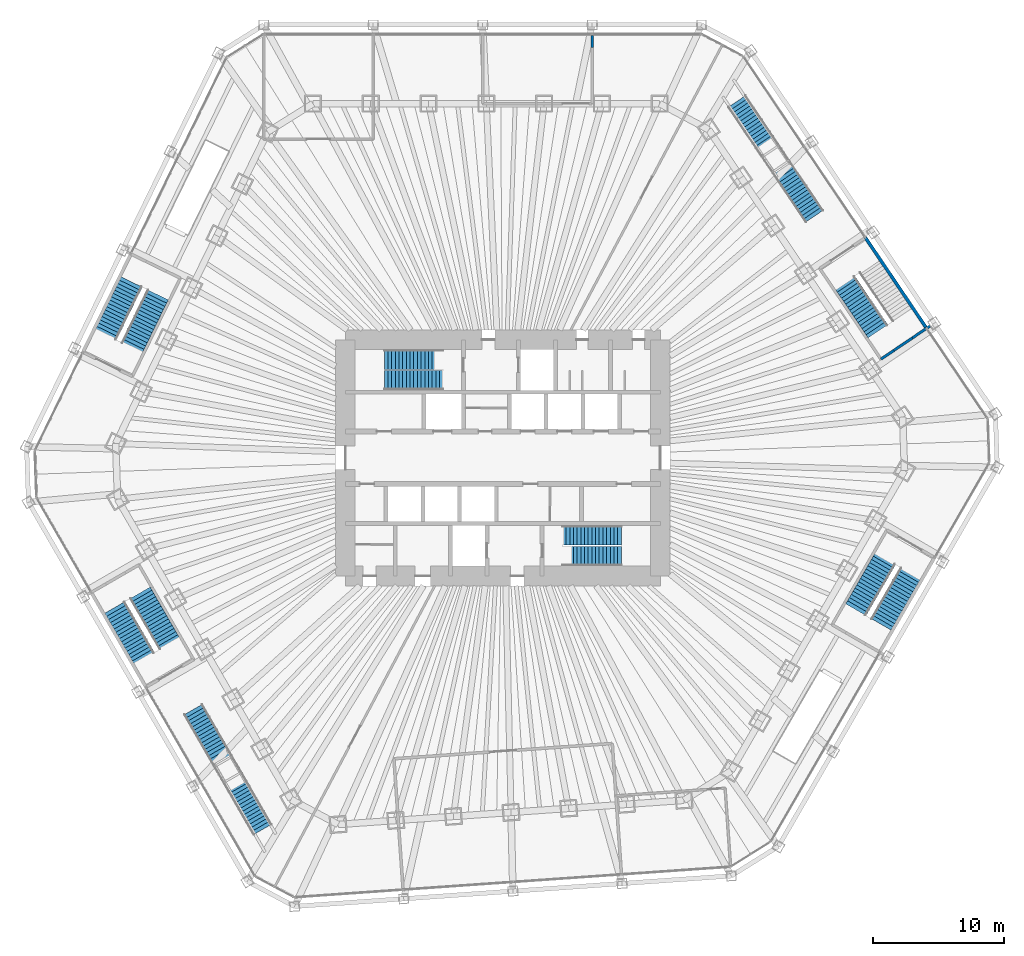
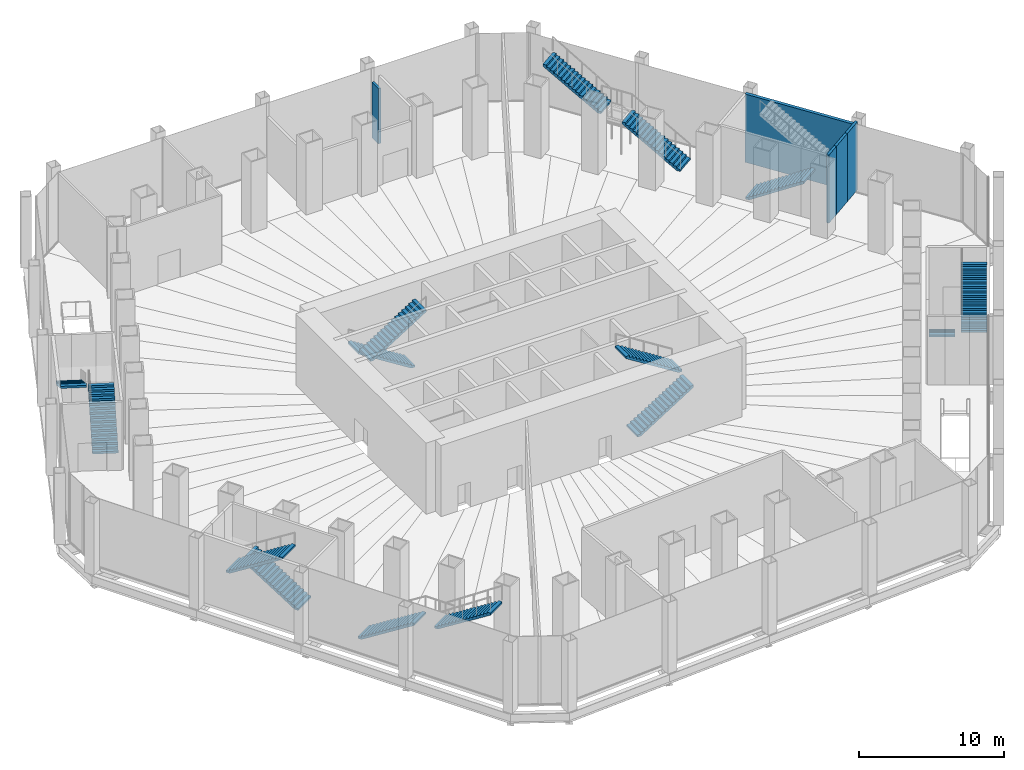
# One storey, part 21 of 23: 15 stair flights, 5 walls, 8 elements without a shape of their own.
"""IFC4 building model written with IfcOpenShell, lengths in metres."""

from ifc_helpers import new_model, si_unit, direction, frame, frame_2d, origin, place, context, subcontext, project, spatial, polyline, rectangle, outline, extrude, material, layer, layer_set, constituent, constituent_set, type_object, element, aggregate, save


model = new_model("IFC4")

# Units and contexts
model_context = context("Model", 3, precision=1e-05, world=origin(), true_north=direction((0.0, 1.0)))
body_context = subcontext(model_context, "Body", "Model", "MODEL_VIEW")
ifc_project = project(units=[si_unit("LENGTHUNIT", "METRE"), si_unit("AREAUNIT", "SQUARE_METRE"), si_unit("VOLUMEUNIT", "CUBIC_METRE"), si_unit("PLANEANGLEUNIT", "RADIAN"), si_unit("MASSUNIT", "GRAM", prefix="KILO")], contexts=[model_context])

# Site, building, storey
site_placement = place(None, origin())
site = spatial("IfcSite", under=ifc_project, at=site_placement, CompositionType="ELEMENT")
building_placement = place(site_placement, origin())
building = spatial("IfcBuilding", under=site, at=building_placement, Name="Qingtian Harvest Tower", CompositionType="ELEMENT")
storey_placement = place(building_placement, frame((0.0, 0.0, 6.0)))
storey = spatial("IfcBuildingStorey", under=building, at=storey_placement, Name="L01", CompositionType="ELEMENT", Elevation=6.0)

# Walls
ifc_material_1 = material(Name="Bronze-clad steel-framed screen wall with fire-rated lining", Category="steel")
ifc_layer_1 = layer(ifc_material_1, 0.25)
ifc_layer_set_1 = layer_set([ifc_layer_1], Name="Facade door bay wall FW2 250")
wall_type_1 = type_object("IfcWallType", Name="Facade door bay wall FW2 250", PredefinedType="SOLIDWALL", material=ifc_layer_set_1)
wall_1_placement = place(storey_placement, frame((27.637451171875, 16.78759765625, 0.0), z_axis=(0.0, 0.0, 1.0), x_axis=(0.559196871021, -0.829034896395, 0.0)))
element("IfcWall", 1, at=wall_1_placement, inside=storey, type_object=wall_type_1, Name="Exit stair wall bay NE2", PredefinedType="SOLIDWALL", context=body_context, shape_type="SweptSolid", body=[
    extrude(rectangle(XDim=8.342041015625, YDim=0.25, at=frame_2d((4.1708984375, 0.0))), origin(), (0.0, 0.0, 1.0), 5.75),
])
ifc_material_2 = material(Name="Blockwork fire wall", Category="masonry")
ifc_layer_2 = layer(ifc_material_2, 0.199951171875)
ifc_layer_set_2 = layer_set([ifc_layer_2], Name="Fire partition FW1 200")
wall_type_2 = type_object("IfcWallType", Name="Fire partition FW1 200", PredefinedType="PARTITIONING", material=ifc_layer_set_2)
wall_2_placement = place(storey_placement, frame((6.8046875, 32.199951171875, 0.0), z_axis=(0.0, 0.0, 1.0), x_axis=(0.0, -1.0, 0.0)))
element("IfcWall", 2, at=wall_2_placement, inside=storey, type_object=wall_type_2, Name="Kitchen wall L01", PredefinedType="PARTITIONING", context=body_context, shape_type="SweptSolid", body=[
    extrude(rectangle(XDim=0.9228515625, YDim=0.199951171875, at=frame_2d((0.46142578125, 0.0))), origin(), (0.0, 0.0, 1.0), 4.64990234375),
])
wall_3_placement = place(storey_placement, frame((32.571533203125, 10.0537109375, 0.0), z_axis=(0.0, 0.0, 1.0), x_axis=(-0.829033253898, -0.55919930609, 0.0)))
element("IfcWall", 3, at=wall_3_placement, inside=storey, type_object=wall_type_2, Name="Exit stair P1 enclosure L01", PredefinedType="PARTITIONING", context=body_context, shape_type="SweptSolid", body=[
    extrude(rectangle(XDim=1.625, YDim=0.199951171875, at=frame_2d((0.8125, 0.0))), origin(), (0.0, 0.0, 1.0), 5.75),
])
wall_4_placement = place(storey_placement, frame((31.224365234375, 9.14501953125, 0.0), z_axis=(0.0, 0.0, 1.0), x_axis=(-0.829033422808, -0.559199055675, 0.0)))
element("IfcWall", 4, at=wall_4_placement, inside=storey, type_object=wall_type_2, Name="Exit stair P1 enclosure L01", PredefinedType="PARTITIONING", context=body_context, shape_type="SweptSolid", body=[
    extrude(rectangle(XDim=1.7001953125, YDim=0.199951171875, at=frame_2d((0.85009765625, 0.0))), origin(), (0.0, 0.0, 1.0), 5.75),
])
wall_5_placement = place(storey_placement, frame((29.81494140625, 8.1943359375, 0.0), z_axis=(0.0, 0.0, 1.0), x_axis=(-0.829096255744, -0.559105892217, 0.0)))
element("IfcWall", 5, at=wall_5_placement, inside=storey, type_object=wall_type_2, Name="Exit stair P1 enclosure L01", PredefinedType="PARTITIONING", context=body_context, shape_type="SweptSolid", body=[
    extrude(rectangle(XDim=1.199951171875, YDim=0.199951171875, at=frame_2d((0.60009765625, 0.0))), origin(), (0.0, 0.0, 1.0), 5.75),
])

# Stair, stair flight
ifc_material_3 = material(Name="Concrete fc' 35 MPa", Category="concrete")
stair_type_1 = type_object("IfcStairType", Name="Exit stair PS1 6000", PredefinedType="HALF_TURN_STAIR", material=ifc_material_3)
stair_1_placement = place(storey_placement, origin())
stair_1 = element("IfcStair", 6, at=stair_1_placement, inside=storey, type_object=stair_type_1, Name="Exit stair P1 L01", PredefinedType="HALF_TURN_STAIR")
ifc_material_4 = material(Name="Concrete fc' 35 MPa", Category="concrete")
stair_flight_type_1 = type_object("IfcStairFlightType", Name="Exit stair flight EF1 6000", PredefinedType="STRAIGHT", material=ifc_material_4)
stair_flight_1_placement = place(storey_placement, frame((26.086181640625, 13.364990234375, 0.0), z_axis=(0.0, 0.0, 1.0), x_axis=(0.559192903471, -0.829037572555, 0.0)))
stair_flight_1 = element("IfcStairFlight", 7, at=stair_flight_1_placement, type_object=stair_flight_type_1, Name="P1 flight 1", NumberOfRisers=17, NumberOfTreads=16, PredefinedType="STRAIGHT", RiserHeight=0.176470588, TreadLength=0.28, context=body_context, shape_type="SweptSolid", body=[
    extrude(outline(polyline([(0.0, 0.0), (0.0, 0.176513671875), (0.280029296875, 0.176513671875), (0.280029296875, 0.35302734375), (0.56005859375, 0.35302734375), (0.56005859375, 0.529296875), (0.840087890625, 0.529296875), (0.840087890625, 0.705810546875), (1.1201171875, 0.705810546875), (1.1201171875, 0.88232421875), (1.39990234375, 0.88232421875), (1.39990234375, 1.058837890625), (1.679931640625, 1.058837890625), (1.679931640625, 1.2353515625), (1.9599609375, 1.2353515625), (1.9599609375, 1.411865234375), (2.239990234375, 1.411865234375), (2.239990234375, 1.588134765625), (2.52001953125, 1.588134765625), (2.52001953125, 1.7646484375), (2.800048828125, 1.7646484375), (2.800048828125, 1.941162109375), (3.080078125, 1.941162109375), (3.080078125, 2.11767578125), (3.360107421875, 2.11767578125), (3.360107421875, 2.294189453125), (3.639892578125, 2.294189453125), (3.639892578125, 2.470703125), (3.919921875, 2.470703125), (3.919921875, 2.64697265625), (4.199951171875, 2.64697265625), (4.199951171875, 2.823486328125), (4.47998046875, 2.823486328125), (4.47998046875, 3.0), (4.47998046875, 2.646240234375), (0.28125, 0.0), (0.0, 0.0)])), frame((0.0, 0.89990234375, 0.0), z_axis=(0.0, -1.0, 0.0), x_axis=(1.0, 0.0, 0.0)), (0.0, 0.0, 1.0), 1.800048828125),
])
aggregate(stair_1, [stair_flight_1])

# Stair, stair flights
stair_2_placement = place(storey_placement, origin())
stair_2 = element("IfcStair", 8, at=stair_2_placement, inside=storey, type_object=stair_type_1, Name="Exit stair P2 L01", PredefinedType="HALF_TURN_STAIR")
stair_flight_2_placement = place(storey_placement, frame((29.15576171875, -7.70068359375, 0.0), z_axis=(0.0, 0.0, 1.0), x_axis=(-0.5, -0.866025403784, 0.0)))
stair_flight_2 = element("IfcStairFlight", 9, at=stair_flight_2_placement, type_object=stair_flight_type_1, Name="P2 flight 1", NumberOfRisers=17, NumberOfTreads=16, PredefinedType="STRAIGHT", RiserHeight=0.176470588, TreadLength=0.28, context=body_context, shape_type="SweptSolid", body=[
    extrude(outline(polyline([(0.0, 0.0), (0.0, 0.176513671875), (0.280029296875, 0.176513671875), (0.280029296875, 0.35302734375), (0.56005859375, 0.35302734375), (0.56005859375, 0.529296875), (0.840087890625, 0.529296875), (0.840087890625, 0.705810546875), (1.1201171875, 0.705810546875), (1.1201171875, 0.88232421875), (1.39990234375, 0.88232421875), (1.39990234375, 1.058837890625), (1.679931640625, 1.058837890625), (1.679931640625, 1.2353515625), (1.9599609375, 1.2353515625), (1.9599609375, 1.411865234375), (2.239990234375, 1.411865234375), (2.239990234375, 1.588134765625), (2.52001953125, 1.588134765625), (2.52001953125, 1.7646484375), (2.800048828125, 1.7646484375), (2.800048828125, 1.941162109375), (3.080078125, 1.941162109375), (3.080078125, 2.11767578125), (3.360107421875, 2.11767578125), (3.360107421875, 2.294189453125), (3.639892578125, 2.294189453125), (3.639892578125, 2.470703125), (3.919921875, 2.470703125), (3.919921875, 2.64697265625), (4.199951171875, 2.64697265625), (4.199951171875, 2.823486328125), (4.47998046875, 2.823486328125), (4.47998046875, 3.0), (4.47998046875, 2.646240234375), (0.28125, 0.0), (0.0, 0.0)])), frame((0.0, 0.89990234375, 0.0), z_axis=(0.0, -1.0, 0.0), x_axis=(1.0, 0.0, 0.0)), (0.0, 0.0, 1.0), 1.800048828125),
])
stair_flight_3_placement = place(storey_placement, frame((28.821044921875, -12.680419921875, 3.0), z_axis=(0.0, 0.0, 1.0), x_axis=(0.5, 0.866025403784, 0.0)))
stair_flight_3 = element("IfcStairFlight", 10, at=stair_flight_3_placement, type_object=stair_flight_type_1, Name="P2 flight 2", NumberOfRisers=17, NumberOfTreads=16, PredefinedType="STRAIGHT", RiserHeight=0.176470588, TreadLength=0.28, context=body_context, shape_type="SweptSolid", body=[
    extrude(outline(polyline([(0.0, 0.0), (0.0, 0.176513671875), (0.280029296875, 0.176513671875), (0.280029296875, 0.35302734375), (0.56005859375, 0.35302734375), (0.56005859375, 0.529296875), (0.840087890625, 0.529296875), (0.840087890625, 0.705810546875), (1.1201171875, 0.705810546875), (1.1201171875, 0.88232421875), (1.39990234375, 0.88232421875), (1.39990234375, 1.058837890625), (1.679931640625, 1.058837890625), (1.679931640625, 1.2353515625), (1.9599609375, 1.2353515625), (1.9599609375, 1.411865234375), (2.239990234375, 1.411865234375), (2.239990234375, 1.588134765625), (2.52001953125, 1.588134765625), (2.52001953125, 1.7646484375), (2.800048828125, 1.7646484375), (2.800048828125, 1.941162109375), (3.080078125, 1.941162109375), (3.080078125, 2.11767578125), (3.360107421875, 2.11767578125), (3.360107421875, 2.294189453125), (3.639892578125, 2.294189453125), (3.639892578125, 2.470703125), (3.919921875, 2.470703125), (3.919921875, 2.64697265625), (4.199951171875, 2.64697265625), (4.199951171875, 2.823486328125), (4.47998046875, 2.823486328125), (4.47998046875, 3.0), (4.47998046875, 2.646240234375), (0.28125, 0.0), (0.0, 0.0)])), frame((0.0, 0.89990234375, 0.0), z_axis=(0.0, -1.0, 0.0), x_axis=(1.0, 0.0, 0.0)), (0.0, 0.0, 1.0), 1.800048828125),
])
aggregate(stair_2, [stair_flight_2, stair_flight_3])

stair_3_placement = place(storey_placement, origin())
stair_3 = element("IfcStair", 11, at=stair_3_placement, inside=storey, type_object=stair_type_1, Name="Exit stair P3 L01", PredefinedType="HALF_TURN_STAIR")
stair_flight_4_placement = place(storey_placement, frame((-25.417724609375, -14.175048828125, 0.0), z_axis=(0.0, 0.0, 1.0), x_axis=(-0.5, 0.866025403784, 0.0)))
stair_flight_4 = element("IfcStairFlight", 12, at=stair_flight_4_placement, type_object=stair_flight_type_1, Name="P3 flight 1", NumberOfRisers=17, NumberOfTreads=16, PredefinedType="STRAIGHT", RiserHeight=0.176470588, TreadLength=0.28, context=body_context, shape_type="SweptSolid", body=[
    extrude(outline(polyline([(0.0, 0.0), (0.0, 0.176513671875), (0.280029296875, 0.176513671875), (0.280029296875, 0.35302734375), (0.56005859375, 0.35302734375), (0.56005859375, 0.529296875), (0.840087890625, 0.529296875), (0.840087890625, 0.705810546875), (1.1201171875, 0.705810546875), (1.1201171875, 0.88232421875), (1.39990234375, 0.88232421875), (1.39990234375, 1.058837890625), (1.679931640625, 1.058837890625), (1.679931640625, 1.2353515625), (1.9599609375, 1.2353515625), (1.9599609375, 1.411865234375), (2.239990234375, 1.411865234375), (2.239990234375, 1.588134765625), (2.52001953125, 1.588134765625), (2.52001953125, 1.7646484375), (2.800048828125, 1.7646484375), (2.800048828125, 1.941162109375), (3.080078125, 1.941162109375), (3.080078125, 2.11767578125), (3.360107421875, 2.11767578125), (3.360107421875, 2.294189453125), (3.639892578125, 2.294189453125), (3.639892578125, 2.470703125), (3.919921875, 2.470703125), (3.919921875, 2.64697265625), (4.199951171875, 2.64697265625), (4.199951171875, 2.823486328125), (4.47998046875, 2.823486328125), (4.47998046875, 3.0), (4.47998046875, 2.646240234375), (0.28125, 0.0), (0.0, 0.0)])), frame((0.0, 0.89990234375, 0.0), z_axis=(0.0, -1.0, 0.0), x_axis=(1.0, 0.0, 0.0)), (0.0, 0.0, 1.0), 1.800048828125),
])
stair_flight_5_placement = place(storey_placement, frame((-29.56298828125, -11.395263671875, 3.0), z_axis=(0.0, 0.0, 1.0), x_axis=(0.5, -0.866025403784, 0.0)))
stair_flight_5 = element("IfcStairFlight", 13, at=stair_flight_5_placement, type_object=stair_flight_type_1, Name="P3 flight 2", NumberOfRisers=17, NumberOfTreads=16, PredefinedType="STRAIGHT", RiserHeight=0.176470588, TreadLength=0.28, context=body_context, shape_type="SweptSolid", body=[
    extrude(outline(polyline([(0.0, 0.0), (0.0, 0.176513671875), (0.280029296875, 0.176513671875), (0.280029296875, 0.35302734375), (0.56005859375, 0.35302734375), (0.56005859375, 0.529296875), (0.840087890625, 0.529296875), (0.840087890625, 0.705810546875), (1.1201171875, 0.705810546875), (1.1201171875, 0.88232421875), (1.39990234375, 0.88232421875), (1.39990234375, 1.058837890625), (1.679931640625, 1.058837890625), (1.679931640625, 1.2353515625), (1.9599609375, 1.2353515625), (1.9599609375, 1.411865234375), (2.239990234375, 1.411865234375), (2.239990234375, 1.588134765625), (2.52001953125, 1.588134765625), (2.52001953125, 1.7646484375), (2.800048828125, 1.7646484375), (2.800048828125, 1.941162109375), (3.080078125, 1.941162109375), (3.080078125, 2.11767578125), (3.360107421875, 2.11767578125), (3.360107421875, 2.294189453125), (3.639892578125, 2.294189453125), (3.639892578125, 2.470703125), (3.919921875, 2.470703125), (3.919921875, 2.64697265625), (4.199951171875, 2.64697265625), (4.199951171875, 2.823486328125), (4.47998046875, 2.823486328125), (4.47998046875, 3.0), (4.47998046875, 2.646240234375), (0.28125, 0.0), (0.0, 0.0)])), frame((0.0, 0.89990234375, 0.0), z_axis=(0.0, -1.0, 0.0), x_axis=(1.0, 0.0, 0.0)), (0.0, 0.0, 1.0), 1.800048828125),
])
aggregate(stair_3, [stair_flight_4, stair_flight_5])

stair_4_placement = place(storey_placement, origin())
stair_4 = element("IfcStair", 14, at=stair_4_placement, inside=storey, type_object=stair_type_1, Name="Exit stair P4 L01", PredefinedType="HALF_TURN_STAIR")
stair_flight_6_placement = place(storey_placement, frame((-28.274169921875, 8.411376953125, 0.0), z_axis=(0.0, 0.0, 1.0), x_axis=(0.438371146789, 0.898794046299, 0.0)))
stair_flight_6 = element("IfcStairFlight", 15, at=stair_flight_6_placement, type_object=stair_flight_type_1, Name="P4 flight 1", NumberOfRisers=17, NumberOfTreads=16, PredefinedType="STRAIGHT", RiserHeight=0.176470588, TreadLength=0.28, context=body_context, shape_type="SweptSolid", body=[
    extrude(outline(polyline([(0.0, 0.0), (0.0, 0.176513671875), (0.280029296875, 0.176513671875), (0.280029296875, 0.35302734375), (0.56005859375, 0.35302734375), (0.56005859375, 0.529296875), (0.840087890625, 0.529296875), (0.840087890625, 0.705810546875), (1.1201171875, 0.705810546875), (1.1201171875, 0.88232421875), (1.39990234375, 0.88232421875), (1.39990234375, 1.058837890625), (1.679931640625, 1.058837890625), (1.679931640625, 1.2353515625), (1.9599609375, 1.2353515625), (1.9599609375, 1.411865234375), (2.239990234375, 1.411865234375), (2.239990234375, 1.588134765625), (2.52001953125, 1.588134765625), (2.52001953125, 1.7646484375), (2.800048828125, 1.7646484375), (2.800048828125, 1.941162109375), (3.080078125, 1.941162109375), (3.080078125, 2.11767578125), (3.360107421875, 2.11767578125), (3.360107421875, 2.294189453125), (3.639892578125, 2.294189453125), (3.639892578125, 2.470703125), (3.919921875, 2.470703125), (3.919921875, 2.64697265625), (4.199951171875, 2.64697265625), (4.199951171875, 2.823486328125), (4.47998046875, 2.823486328125), (4.47998046875, 3.0), (4.47998046875, 2.646240234375), (0.28125, 0.0), (0.0, 0.0)])), frame((0.0, 0.89990234375, 0.0), z_axis=(0.0, -1.0, 0.0), x_axis=(1.0, 0.0, 0.0)), (0.0, 0.0, 1.0), 1.800048828125),
])
stair_flight_7_placement = place(storey_placement, frame((-28.28759765625, 13.40234375, 3.0), z_axis=(0.0, 0.0, 1.0), x_axis=(-0.438371146789, -0.898794046299, 0.0)))
stair_flight_7 = element("IfcStairFlight", 16, at=stair_flight_7_placement, type_object=stair_flight_type_1, Name="P4 flight 2", NumberOfRisers=17, NumberOfTreads=16, PredefinedType="STRAIGHT", RiserHeight=0.176470588, TreadLength=0.28, context=body_context, shape_type="SweptSolid", body=[
    extrude(outline(polyline([(0.0, 0.0), (0.0, 0.176513671875), (0.280029296875, 0.176513671875), (0.280029296875, 0.35302734375), (0.56005859375, 0.35302734375), (0.56005859375, 0.529296875), (0.840087890625, 0.529296875), (0.840087890625, 0.705810546875), (1.1201171875, 0.705810546875), (1.1201171875, 0.88232421875), (1.39990234375, 0.88232421875), (1.39990234375, 1.058837890625), (1.679931640625, 1.058837890625), (1.679931640625, 1.2353515625), (1.9599609375, 1.2353515625), (1.9599609375, 1.411865234375), (2.239990234375, 1.411865234375), (2.239990234375, 1.588134765625), (2.52001953125, 1.588134765625), (2.52001953125, 1.7646484375), (2.800048828125, 1.7646484375), (2.800048828125, 1.941162109375), (3.080078125, 1.941162109375), (3.080078125, 2.11767578125), (3.360107421875, 2.11767578125), (3.360107421875, 2.294189453125), (3.639892578125, 2.294189453125), (3.639892578125, 2.470703125), (3.919921875, 2.470703125), (3.919921875, 2.64697265625), (4.199951171875, 2.64697265625), (4.199951171875, 2.823486328125), (4.47998046875, 2.823486328125), (4.47998046875, 3.0), (4.47998046875, 2.646240234375), (0.28125, 0.0), (0.0, 0.0)])), frame((0.0, 0.89990234375, 0.0), z_axis=(0.0, -1.0, 0.0), x_axis=(1.0, 0.0, 0.0)), (0.0, 0.0, 1.0), 1.800048828125),
])
aggregate(stair_4, [stair_flight_6, stair_flight_7])

ifc_material_5 = material(Name="Steel SN490B (325 MPa)", Category="steel")
ifc_constituent_1 = constituent(ifc_material_5, Name="Stringers")
ifc_material_6 = material(Name="Terrazzo treads")
ifc_constituent_2 = constituent(ifc_material_6, Name="Treads")
ifc_constituent_set_1 = constituent_set(constituents=[ifc_constituent_1, ifc_constituent_2], Name="Steel SN490B (325 MPa)")
stair_type_2 = type_object("IfcStairType", Name="Feature stair FS6000 straight run", PredefinedType="STRAIGHT_RUN_STAIR", material=ifc_constituent_set_1)
stair_5_placement = place(storey_placement, origin())
stair_5 = element("IfcStair", 17, at=stair_5_placement, inside=storey, type_object=stair_type_2, Name="Feature stair FS3 L01 to L02", PredefinedType="STRAIGHT_RUN_STAIR")
ifc_material_7 = material(Name="Steel SN490B (325 MPa)", Category="steel")
ifc_constituent_3 = constituent(ifc_material_7, Name="Stringers")
ifc_material_8 = material(Name="Terrazzo treads")
ifc_constituent_4 = constituent(ifc_material_8, Name="Treads")
ifc_constituent_set_2 = constituent_set(constituents=[ifc_constituent_3, ifc_constituent_4], Name="Steel SN490B (325 MPa)")
stair_flight_type_2 = type_object("IfcStairFlightType", Name="Feature stair flight FF6000", PredefinedType="STRAIGHT", material=ifc_constituent_set_2)
stair_flight_8_placement = place(storey_placement, frame((23.75244140625, 18.422607421875, 0.0), z_axis=(0.0, 0.0, 1.0), x_axis=(-0.559192903471, 0.829037572555, 0.0)))
stair_flight_8 = element("IfcStairFlight", 18, at=stair_flight_8_placement, type_object=stair_flight_type_2, Name="FS3 flight 1", NumberOfRisers=17, NumberOfTreads=16, PredefinedType="STRAIGHT", RiserHeight=0.176470588, TreadLength=0.28, context=body_context, shape_type="SweptSolid", body=[
    extrude(outline(polyline([(0.0, 0.0), (0.0, 0.176513671875), (0.280029296875, 0.176513671875), (0.280029296875, 0.35302734375), (0.56005859375, 0.35302734375), (0.56005859375, 0.529296875), (0.840087890625, 0.529296875), (0.840087890625, 0.705810546875), (1.1201171875, 0.705810546875), (1.1201171875, 0.88232421875), (1.39990234375, 0.88232421875), (1.39990234375, 1.058837890625), (1.679931640625, 1.058837890625), (1.679931640625, 1.2353515625), (1.9599609375, 1.2353515625), (1.9599609375, 1.411865234375), (2.239990234375, 1.411865234375), (2.239990234375, 1.588134765625), (2.52001953125, 1.588134765625), (2.52001953125, 1.7646484375), (2.800048828125, 1.7646484375), (2.800048828125, 1.941162109375), (3.080078125, 1.941162109375), (3.080078125, 2.11767578125), (3.360107421875, 2.11767578125), (3.360107421875, 2.294189453125), (3.639892578125, 2.294189453125), (3.639892578125, 2.470703125), (3.919921875, 2.470703125), (3.919921875, 2.64697265625), (4.199951171875, 2.64697265625), (4.199951171875, 2.823486328125), (4.47998046875, 2.823486328125), (4.47998046875, 3.0), (4.47998046875, 2.646240234375), (0.28125, 0.0), (0.0, 0.0)])), frame((0.0, 0.800048828125, 0.0), z_axis=(0.0, -1.0, 0.0), x_axis=(1.0, 0.0, 0.0)), (0.0, 0.0, 1.0), 1.60009765625),
])
stair_flight_9_placement = place(storey_placement, frame((20.3525390625, 23.463134765625, 3.0), z_axis=(0.0, 0.0, 1.0), x_axis=(-0.559192903471, 0.829037572555, 0.0)))
stair_flight_9 = element("IfcStairFlight", 19, at=stair_flight_9_placement, type_object=stair_flight_type_2, Name="FS3 flight 2", NumberOfRisers=17, NumberOfTreads=16, PredefinedType="STRAIGHT", RiserHeight=0.176470588, TreadLength=0.28, context=body_context, shape_type="SweptSolid", body=[
    extrude(outline(polyline([(0.0, 0.0), (0.0, 0.176513671875), (0.280029296875, 0.176513671875), (0.280029296875, 0.35302734375), (0.56005859375, 0.35302734375), (0.56005859375, 0.529296875), (0.840087890625, 0.529296875), (0.840087890625, 0.705810546875), (1.1201171875, 0.705810546875), (1.1201171875, 0.88232421875), (1.39990234375, 0.88232421875), (1.39990234375, 1.058837890625), (1.679931640625, 1.058837890625), (1.679931640625, 1.2353515625), (1.9599609375, 1.2353515625), (1.9599609375, 1.411865234375), (2.239990234375, 1.411865234375), (2.239990234375, 1.588134765625), (2.52001953125, 1.588134765625), (2.52001953125, 1.7646484375), (2.800048828125, 1.7646484375), (2.800048828125, 1.941162109375), (3.080078125, 1.941162109375), (3.080078125, 2.11767578125), (3.360107421875, 2.11767578125), (3.360107421875, 2.294189453125), (3.639892578125, 2.294189453125), (3.639892578125, 2.470703125), (3.919921875, 2.470703125), (3.919921875, 2.64697265625), (4.199951171875, 2.64697265625), (4.199951171875, 2.823486328125), (4.47998046875, 2.823486328125), (4.47998046875, 3.0), (4.47998046875, 2.646240234375), (0.28125, 0.0), (0.0, 0.0)])), frame((0.0, 0.800048828125, 0.0), z_axis=(0.0, -1.0, 0.0), x_axis=(1.0, 0.0, 0.0)), (0.0, 0.0, 1.0), 1.60009765625),
])
aggregate(stair_5, [stair_flight_8, stair_flight_9])

stair_6_placement = place(storey_placement, origin())
stair_6 = element("IfcStair", 20, at=stair_6_placement, inside=storey, type_object=stair_type_2, Name="Feature stair FS4 L01 to L02", PredefinedType="STRAIGHT_RUN_STAIR")
stair_flight_10_placement = place(storey_placement, frame((-23.590087890625, -19.177490234375, 0.0), z_axis=(0.0, 0.0, 1.0), x_axis=(0.5, -0.866025403784, 0.0)))
stair_flight_10 = element("IfcStairFlight", 21, at=stair_flight_10_placement, type_object=stair_flight_type_2, Name="FS4 flight 1", NumberOfRisers=17, NumberOfTreads=16, PredefinedType="STRAIGHT", RiserHeight=0.176470588, TreadLength=0.28, context=body_context, shape_type="SweptSolid", body=[
    extrude(outline(polyline([(0.0, 0.0), (0.0, 0.176513671875), (0.280029296875, 0.176513671875), (0.280029296875, 0.35302734375), (0.56005859375, 0.35302734375), (0.56005859375, 0.529296875), (0.840087890625, 0.529296875), (0.840087890625, 0.705810546875), (1.1201171875, 0.705810546875), (1.1201171875, 0.88232421875), (1.39990234375, 0.88232421875), (1.39990234375, 1.058837890625), (1.679931640625, 1.058837890625), (1.679931640625, 1.2353515625), (1.9599609375, 1.2353515625), (1.9599609375, 1.411865234375), (2.239990234375, 1.411865234375), (2.239990234375, 1.588134765625), (2.52001953125, 1.588134765625), (2.52001953125, 1.7646484375), (2.800048828125, 1.7646484375), (2.800048828125, 1.941162109375), (3.080078125, 1.941162109375), (3.080078125, 2.11767578125), (3.360107421875, 2.11767578125), (3.360107421875, 2.294189453125), (3.639892578125, 2.294189453125), (3.639892578125, 2.470703125), (3.919921875, 2.470703125), (3.919921875, 2.64697265625), (4.199951171875, 2.64697265625), (4.199951171875, 2.823486328125), (4.47998046875, 2.823486328125), (4.47998046875, 3.0), (4.47998046875, 2.646240234375), (0.28125, 0.0), (0.0, 0.0)])), frame((0.0, 0.800048828125, 0.0), z_axis=(0.0, -1.0, 0.0), x_axis=(1.0, 0.0, 0.0)), (0.0, 0.0, 1.0), 1.60009765625),
])
stair_flight_11_placement = place(storey_placement, frame((-20.550048828125, -24.44287109375, 3.0), z_axis=(0.0, 0.0, 1.0), x_axis=(0.5, -0.866025403784, 0.0)))
stair_flight_11 = element("IfcStairFlight", 22, at=stair_flight_11_placement, type_object=stair_flight_type_2, Name="FS4 flight 2", NumberOfRisers=17, NumberOfTreads=16, PredefinedType="STRAIGHT", RiserHeight=0.176470588, TreadLength=0.28, context=body_context, shape_type="SweptSolid", body=[
    extrude(outline(polyline([(0.0, 0.0), (0.0, 0.176513671875), (0.280029296875, 0.176513671875), (0.280029296875, 0.35302734375), (0.56005859375, 0.35302734375), (0.56005859375, 0.529296875), (0.840087890625, 0.529296875), (0.840087890625, 0.705810546875), (1.1201171875, 0.705810546875), (1.1201171875, 0.88232421875), (1.39990234375, 0.88232421875), (1.39990234375, 1.058837890625), (1.679931640625, 1.058837890625), (1.679931640625, 1.2353515625), (1.9599609375, 1.2353515625), (1.9599609375, 1.411865234375), (2.239990234375, 1.411865234375), (2.239990234375, 1.588134765625), (2.52001953125, 1.588134765625), (2.52001953125, 1.7646484375), (2.800048828125, 1.7646484375), (2.800048828125, 1.941162109375), (3.080078125, 1.941162109375), (3.080078125, 2.11767578125), (3.360107421875, 2.11767578125), (3.360107421875, 2.294189453125), (3.639892578125, 2.294189453125), (3.639892578125, 2.470703125), (3.919921875, 2.470703125), (3.919921875, 2.64697265625), (4.199951171875, 2.64697265625), (4.199951171875, 2.823486328125), (4.47998046875, 2.823486328125), (4.47998046875, 3.0), (4.47998046875, 2.646240234375), (0.28125, 0.0), (0.0, 0.0)])), frame((0.0, 0.800048828125, 0.0), z_axis=(0.0, -1.0, 0.0), x_axis=(1.0, 0.0, 0.0)), (0.0, 0.0, 1.0), 1.60009765625),
])
aggregate(stair_6, [stair_flight_10, stair_flight_11])

ifc_material_9 = material(Name="Concrete fc' 35 MPa", Category="concrete")
stair_type_3 = type_object("IfcStairType", Name="Special stair ST1 6000", PredefinedType="HALF_TURN_STAIR", material=ifc_material_9)
stair_7_placement = place(storey_placement, origin())
stair_7 = element("IfcStair", 23, at=stair_7_placement, inside=storey, type_object=stair_type_3, Name="Special stair S1 L01", PredefinedType="HALF_TURN_STAIR")
ifc_material_10 = material(Name="Concrete fc' 35 MPa", Category="concrete")
stair_flight_type_3 = type_object("IfcStairFlightType", Name="Stair flight SF1 6000", PredefinedType="STRAIGHT", material=ifc_material_10)
stair_flight_12_placement = place(storey_placement, frame((-4.550048828125, 7.5, 0.0), z_axis=(0.0, 0.0, 1.0), x_axis=(-1.0, 0.0, 0.0)))
stair_flight_12 = element("IfcStairFlight", 24, at=stair_flight_12_placement, type_object=stair_flight_type_3, Name="S1 flight 1", NumberOfRisers=17, NumberOfTreads=16, PredefinedType="STRAIGHT", RiserHeight=0.176470588, TreadLength=0.28, context=body_context, shape_type="SweptSolid", body=[
    extrude(outline(polyline([(0.0, 0.0), (0.0, 0.176513671875), (0.280029296875, 0.176513671875), (0.280029296875, 0.35302734375), (0.56005859375, 0.35302734375), (0.56005859375, 0.529296875), (0.840087890625, 0.529296875), (0.840087890625, 0.705810546875), (1.1201171875, 0.705810546875), (1.1201171875, 0.88232421875), (1.39990234375, 0.88232421875), (1.39990234375, 1.058837890625), (1.679931640625, 1.058837890625), (1.679931640625, 1.2353515625), (1.9599609375, 1.2353515625), (1.9599609375, 1.411865234375), (2.239990234375, 1.411865234375), (2.239990234375, 1.588134765625), (2.52001953125, 1.588134765625), (2.52001953125, 1.7646484375), (2.800048828125, 1.7646484375), (2.800048828125, 1.941162109375), (3.080078125, 1.941162109375), (3.080078125, 2.11767578125), (3.360107421875, 2.11767578125), (3.360107421875, 2.294189453125), (3.639892578125, 2.294189453125), (3.639892578125, 2.470703125), (3.919921875, 2.470703125), (3.919921875, 2.64697265625), (4.199951171875, 2.64697265625), (4.199951171875, 2.823486328125), (4.47998046875, 2.823486328125), (4.47998046875, 3.0), (4.47998046875, 2.646240234375), (0.28125, 0.0), (0.0, 0.0)])), frame((0.0, 0.75, 0.0), z_axis=(0.0, -1.0, 0.0), x_axis=(1.0, 0.0, 0.0)), (0.0, 0.0, 1.0), 1.5),
])
stair_flight_13_placement = place(storey_placement, frame((-9.030029296875, 5.89990234375, 3.0), z_axis=(0.0, 0.0, 1.0), x_axis=(1.0, 0.0, 0.0)))
stair_flight_13 = element("IfcStairFlight", 25, at=stair_flight_13_placement, type_object=stair_flight_type_3, Name="S1 flight 2", NumberOfRisers=17, NumberOfTreads=16, PredefinedType="STRAIGHT", RiserHeight=0.176470588, TreadLength=0.28, context=body_context, shape_type="SweptSolid", body=[
    extrude(outline(polyline([(0.0, 0.0), (0.0, 0.176513671875), (0.280029296875, 0.176513671875), (0.280029296875, 0.35302734375), (0.56005859375, 0.35302734375), (0.56005859375, 0.529296875), (0.840087890625, 0.529296875), (0.840087890625, 0.705810546875), (1.1201171875, 0.705810546875), (1.1201171875, 0.88232421875), (1.39990234375, 0.88232421875), (1.39990234375, 1.058837890625), (1.679931640625, 1.058837890625), (1.679931640625, 1.2353515625), (1.9599609375, 1.2353515625), (1.9599609375, 1.411865234375), (2.239990234375, 1.411865234375), (2.239990234375, 1.588134765625), (2.52001953125, 1.588134765625), (2.52001953125, 1.7646484375), (2.800048828125, 1.7646484375), (2.800048828125, 1.941162109375), (3.080078125, 1.941162109375), (3.080078125, 2.11767578125), (3.360107421875, 2.11767578125), (3.360107421875, 2.294189453125), (3.639892578125, 2.294189453125), (3.639892578125, 2.470703125), (3.919921875, 2.470703125), (3.919921875, 2.64697265625), (4.199951171875, 2.64697265625), (4.199951171875, 2.823486328125), (4.47998046875, 2.823486328125), (4.47998046875, 3.0), (4.47998046875, 2.646240234375), (0.28125, 0.0), (0.0, 0.0)])), frame((0.0, 0.75, 0.0), z_axis=(0.0, -1.0, 0.0), x_axis=(1.0, 0.0, 0.0)), (0.0, 0.0, 1.0), 1.5),
])
aggregate(stair_7, [stair_flight_12, stair_flight_13])

stair_8_placement = place(storey_placement, origin())
stair_8 = element("IfcStair", 26, at=stair_8_placement, inside=storey, type_object=stair_type_3, Name="Special stair S2 L01", PredefinedType="HALF_TURN_STAIR")
stair_flight_14_placement = place(storey_placement, frame((4.550048828125, -7.5, 0.0), z_axis=(0.0, 0.0, 1.0), x_axis=(1.0, 0.0, 0.0)))
stair_flight_14 = element("IfcStairFlight", 27, at=stair_flight_14_placement, type_object=stair_flight_type_3, Name="S2 flight 1", NumberOfRisers=17, NumberOfTreads=16, PredefinedType="STRAIGHT", RiserHeight=0.176470588, TreadLength=0.28, context=body_context, shape_type="SweptSolid", body=[
    extrude(outline(polyline([(0.0, 0.0), (0.0, 0.176513671875), (0.280029296875, 0.176513671875), (0.280029296875, 0.35302734375), (0.56005859375, 0.35302734375), (0.56005859375, 0.529296875), (0.840087890625, 0.529296875), (0.840087890625, 0.705810546875), (1.1201171875, 0.705810546875), (1.1201171875, 0.88232421875), (1.39990234375, 0.88232421875), (1.39990234375, 1.058837890625), (1.679931640625, 1.058837890625), (1.679931640625, 1.2353515625), (1.9599609375, 1.2353515625), (1.9599609375, 1.411865234375), (2.239990234375, 1.411865234375), (2.239990234375, 1.588134765625), (2.52001953125, 1.588134765625), (2.52001953125, 1.7646484375), (2.800048828125, 1.7646484375), (2.800048828125, 1.941162109375), (3.080078125, 1.941162109375), (3.080078125, 2.11767578125), (3.360107421875, 2.11767578125), (3.360107421875, 2.294189453125), (3.639892578125, 2.294189453125), (3.639892578125, 2.470703125), (3.919921875, 2.470703125), (3.919921875, 2.64697265625), (4.199951171875, 2.64697265625), (4.199951171875, 2.823486328125), (4.47998046875, 2.823486328125), (4.47998046875, 3.0), (4.47998046875, 2.646240234375), (0.28125, 0.0), (0.0, 0.0)])), frame((0.0, 0.75, 0.0), z_axis=(0.0, -1.0, 0.0), x_axis=(1.0, 0.0, 0.0)), (0.0, 0.0, 1.0), 1.5),
])
stair_flight_15_placement = place(storey_placement, frame((9.030029296875, -5.89990234375, 3.0), z_axis=(0.0, 0.0, 1.0), x_axis=(-1.0, 0.0, 0.0)))
stair_flight_15 = element("IfcStairFlight", 28, at=stair_flight_15_placement, type_object=stair_flight_type_3, Name="S2 flight 2", NumberOfRisers=17, NumberOfTreads=16, PredefinedType="STRAIGHT", RiserHeight=0.176470588, TreadLength=0.28, context=body_context, shape_type="SweptSolid", body=[
    extrude(outline(polyline([(0.0, 0.0), (0.0, 0.176513671875), (0.280029296875, 0.176513671875), (0.280029296875, 0.35302734375), (0.56005859375, 0.35302734375), (0.56005859375, 0.529296875), (0.840087890625, 0.529296875), (0.840087890625, 0.705810546875), (1.1201171875, 0.705810546875), (1.1201171875, 0.88232421875), (1.39990234375, 0.88232421875), (1.39990234375, 1.058837890625), (1.679931640625, 1.058837890625), (1.679931640625, 1.2353515625), (1.9599609375, 1.2353515625), (1.9599609375, 1.411865234375), (2.239990234375, 1.411865234375), (2.239990234375, 1.588134765625), (2.52001953125, 1.588134765625), (2.52001953125, 1.7646484375), (2.800048828125, 1.7646484375), (2.800048828125, 1.941162109375), (3.080078125, 1.941162109375), (3.080078125, 2.11767578125), (3.360107421875, 2.11767578125), (3.360107421875, 2.294189453125), (3.639892578125, 2.294189453125), (3.639892578125, 2.470703125), (3.919921875, 2.470703125), (3.919921875, 2.64697265625), (4.199951171875, 2.64697265625), (4.199951171875, 2.823486328125), (4.47998046875, 2.823486328125), (4.47998046875, 3.0), (4.47998046875, 2.646240234375), (0.28125, 0.0), (0.0, 0.0)])), frame((0.0, 0.75, 0.0), z_axis=(0.0, -1.0, 0.0), x_axis=(1.0, 0.0, 0.0)), (0.0, 0.0, 1.0), 1.5),
])
aggregate(stair_8, [stair_flight_14, stair_flight_15])

save(model, "model.ifc")
